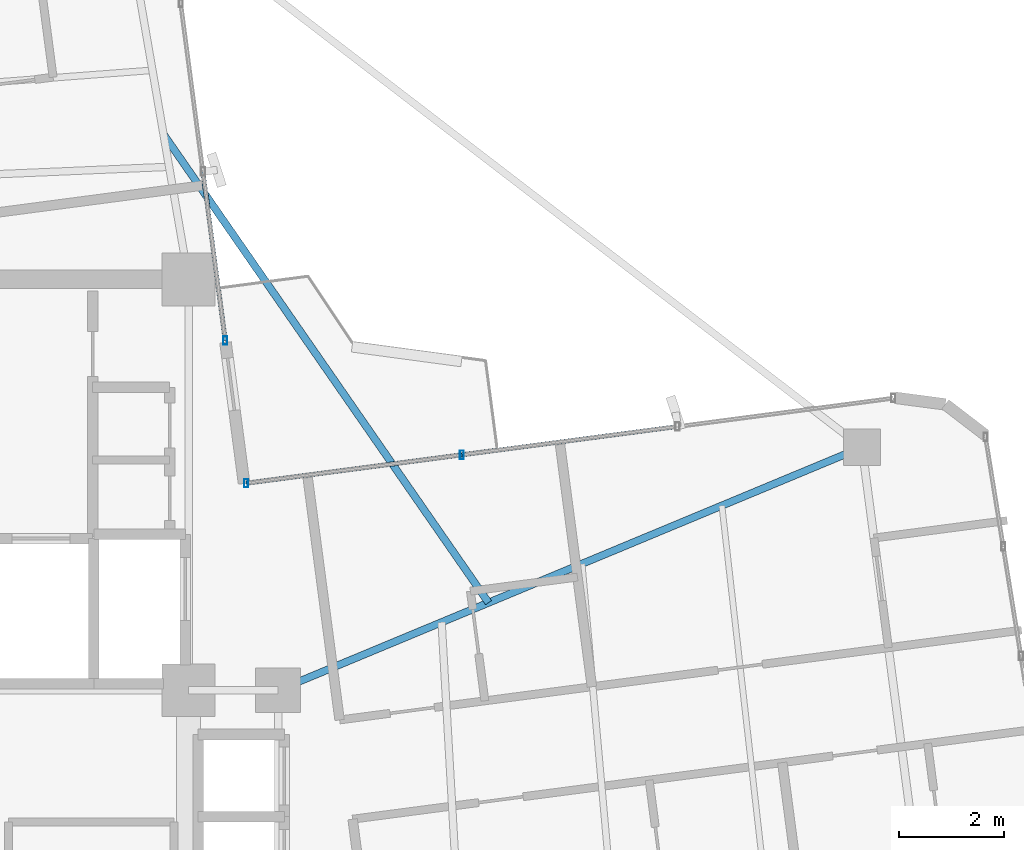
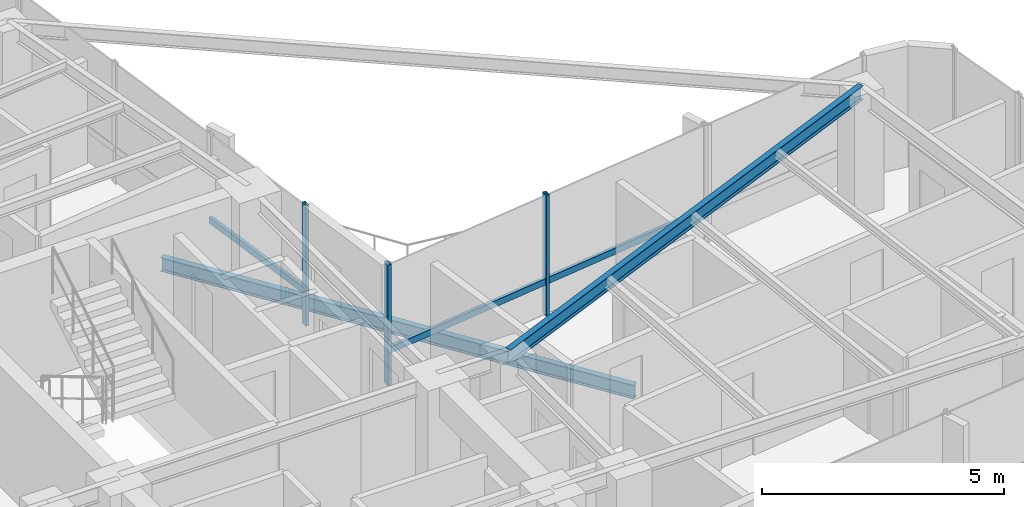
# One storey, part 11 of 23: 6 members, 2 beams, 2 elements without a shape of their own.
"""IFC4 building model written with IfcOpenShell, lengths in metres."""

from ifc_helpers import new_model, si_unit, direction, frame, origin, origin_2d, place, context, subcontext, project, spatial, hollow_rectangle, i_section, extrude, source, transform, mapped, material, material_profile, profile_set, type_object, element, aggregate, save


model = new_model("IFC4")

# Units and contexts
model_context = context("Model", 3, precision=1e-05, world=origin(), true_north=direction((0.0, 1.0)))
body_context = subcontext(model_context, "Body", "Model", "MODEL_VIEW")
ifc_project = project(units=[si_unit("LENGTHUNIT", "METRE"), si_unit("AREAUNIT", "SQUARE_METRE"), si_unit("VOLUMEUNIT", "CUBIC_METRE"), si_unit("PLANEANGLEUNIT", "RADIAN"), si_unit("MASSUNIT", "GRAM", prefix="KILO")], contexts=[model_context])

# Site, building, storey
site_placement = place(None, origin())
site = spatial("IfcSite", under=ifc_project, at=site_placement, CompositionType="ELEMENT")
building_placement = place(site_placement, origin())
building = spatial("IfcBuilding", under=site, at=building_placement, Name="Sahyath Konkavel Grand Hotel", CompositionType="ELEMENT")
storey_placement = place(building_placement, frame((0.0, 0.0, 226.60009765625)))
storey = spatial("IfcBuildingStorey", under=building, at=storey_placement, Name="L63", CompositionType="ELEMENT", Elevation=226.60009765625)

# Beam
ifc_material_1 = material(Name="Steel E350", Category="steel")
ifc_material_profile_1 = material_profile(ifc_material_1, i_section(OverallWidth=0.139892578125, OverallDepth=0.35009765625, WebThickness=0.008056640625, FlangeThickness=0.01416015625, FilletRadius=0.013916015625, at=origin_2d()), Name="ISMB 350")
ifc_profile_set_1 = profile_set([ifc_material_profile_1], Name="Steel E350")
beam_type_1 = type_object("IfcBeamType", Name="BM-ISMB350", PredefinedType="BEAM", material=ifc_profile_set_1)
shared_shape_1 = source(origin(), body_context, "Body", "SweptSolid", [
    extrude(i_section(OverallWidth=0.139892578125, OverallDepth=0.35009765625, WebThickness=0.008056640625, FlangeThickness=0.01416015625, FilletRadius=0.013916015625, at=origin_2d()), origin(), (0.0, 0.0, 1.0), 12.0078125),
])
beam_1_placement = place(storey_placement, frame((5.5, 2.39990234375, 2.875), z_axis=(0.923263288918, 0.384167801015, 0.0), x_axis=(-0.384167801015, 0.923263288918, 0.0)))
element("IfcBeam", 1, at=beam_1_placement, inside=storey, type_object=beam_type_1, Name="L63 Cruciform Radial Girder EB", PredefinedType="BEAM", context=body_context, shape_type="MappedRepresentation", body=[
    mapped(shared_shape_1, transform((0.0, 0.0, 0.0), scale=1.0)),
])

# Curtain wall, members
ifc_material_2 = material(Name="Anodised Bronze Aluminium & Low-E Glazing", Category="aluminium")
curtain_wall_type = type_object("IfcCurtainWallType", Name="CW-ZONE4", PredefinedType="NOTDEFINED", material=ifc_material_2)
curtain_wall_1_placement = place(storey_placement, origin())
curtain_wall_1 = element("IfcCurtainWall", 2, at=curtain_wall_1_placement, inside=storey, type_object=curtain_wall_type, Name="L63 Unitised Curtain Wall F7", PredefinedType="NOTDEFINED")
ifc_material_3 = material(Name="Anodised Bronze Aluminium", Category="aluminium")
ifc_material_profile_2 = material_profile(ifc_material_3, hollow_rectangle(XDim=0.080078125, YDim=0.159912109375, WallThickness=0.006103515625, at=origin_2d()), Name="RHS 160x80x6")
ifc_profile_set_2 = profile_set([ifc_material_profile_2], Name="Anodised Bronze Aluminium")
member_type_1 = type_object("IfcMemberType", Name="CW-MUL-160", PredefinedType="MULLION", material=ifc_profile_set_2)
shared_shape_2 = source(origin(), body_context, "Body", "SweptSolid", [
    extrude(hollow_rectangle(XDim=0.080078125, YDim=0.159912109375, WallThickness=0.006103515625, at=origin_2d()), origin(), (0.0, 0.0, 1.0), 3.0498046875),
])
member_1_placement = place(storey_placement, frame((8.989013671875, 6.8701171875, 0.0), z_axis=(0.0, 0.0, 1.0), x_axis=(1.0, 0.0, 0.0)))
member_1 = element("IfcMember", 3, at=member_1_placement, type_object=member_type_1, Name="L63 Curtain Wall Mullion F7-2", PredefinedType="MULLION", context=body_context, shape_type="MappedRepresentation", body=[
    mapped(shared_shape_2, transform((0.0, 0.0, 0.0), scale=1.0)),
])
member_2_placement = place(storey_placement, frame((4.8935546875, 6.330810546875, 0.0), z_axis=(0.0, 0.0, 1.0), x_axis=(1.0, 0.0, 0.0)))
member_2 = element("IfcMember", 4, at=member_2_placement, type_object=member_type_1, Name="L63 Curtain Wall Mullion F7-3", PredefinedType="MULLION", context=body_context, shape_type="MappedRepresentation", body=[
    mapped(shared_shape_2, transform((0.0, 0.0, 0.0), scale=1.0)),
])

curtain_wall_2_placement = place(storey_placement, origin())
curtain_wall_2 = element("IfcCurtainWall", 5, at=curtain_wall_2_placement, inside=storey, type_object=curtain_wall_type, Name="L63 Unitised Curtain Wall F8", PredefinedType="NOTDEFINED")
member_3_placement = place(storey_placement, frame((4.496337890625, 9.042236328125, 0.0), z_axis=(0.0, 0.0, 1.0), x_axis=(1.0, 0.0, 0.0)))
member_3 = element("IfcMember", 6, at=member_3_placement, type_object=member_type_1, Name="L63 Curtain Wall Mullion F8-0", PredefinedType="MULLION", context=body_context, shape_type="MappedRepresentation", body=[
    mapped(shared_shape_2, transform((0.0, 0.0, 0.0), scale=1.0)),
])
ifc_material_profile_3 = material_profile(ifc_material_3, hollow_rectangle(XDim=0.080078125, YDim=0.159912109375, WallThickness=0.006103515625, at=origin_2d()), Name="RHS 160x80x6")
ifc_profile_set_3 = profile_set([ifc_material_profile_3], Name="Anodised Bronze Aluminium")
member_type_2 = type_object("IfcMemberType", Name="CW-TRN-160", PredefinedType="USERDEFINED", material=ifc_profile_set_3)
shared_shape_3 = source(origin(), body_context, "Body", "SweptSolid", [
    extrude(hollow_rectangle(XDim=0.080078125, YDim=0.159912109375, WallThickness=0.006103515625, at=origin_2d()), origin(), (0.0, 0.0, 1.0), 3.230712890625),
])
member_4_placement = place(storey_placement, frame((4.496337890625, 9.042236328125, 0.849853515625), z_axis=(-0.130505336662, 0.991447606837, 0.0), x_axis=(-0.991447606837, -0.130505336662, 0.0)))
member_4 = element("IfcMember", 7, at=member_4_placement, type_object=member_type_2, Name="L63 Curtain Wall Transom F8-0-spandrel", ObjectType="TRANSOM", PredefinedType="USERDEFINED", context=body_context, shape_type="MappedRepresentation", body=[
    mapped(shared_shape_3, transform((0.0, 0.0, 0.0), scale=1.0)),
])
aggregate(curtain_wall_2, [member_3, member_4])

# Member
shared_shape_4 = source(origin(), body_context, "Body", "SweptSolid", [
    extrude(hollow_rectangle(XDim=0.080078125, YDim=0.159912109375, WallThickness=0.006103515625, at=origin_2d()), origin(), (0.0, 0.0, 1.0), 4.130615234375),
])
member_5_placement = place(storey_placement, frame((13.084228515625, 7.4091796875, 0.849853515625), z_axis=(-0.991447454115, -0.130506496881, 0.0), x_axis=(0.130506496881, -0.991447454115, 0.0)))
member_5 = element("IfcMember", 8, at=member_5_placement, type_object=member_type_2, Name="L63 Curtain Wall Transom F7-1-spandrel", ObjectType="TRANSOM", PredefinedType="USERDEFINED", context=body_context, shape_type="MappedRepresentation", body=[
    mapped(shared_shape_4, transform((0.0, 0.0, 0.0), scale=1.0)),
])

shared_shape_5 = source(origin(), body_context, "Body", "SweptSolid", [
    extrude(hollow_rectangle(XDim=0.080078125, YDim=0.159912109375, WallThickness=0.006103515625, at=origin_2d()), origin(), (0.0, 0.0, 1.0), 4.130859375),
])
member_6_placement = place(storey_placement, frame((8.989013671875, 6.8701171875, 0.849853515625), z_axis=(-0.991440812194, -0.130556945105, 0.0), x_axis=(0.130556945105, -0.991440812194, 0.0)))
member_6 = element("IfcMember", 9, at=member_6_placement, type_object=member_type_2, Name="L63 Curtain Wall Transom F7-2-spandrel", ObjectType="TRANSOM", PredefinedType="USERDEFINED", context=body_context, shape_type="MappedRepresentation", body=[
    mapped(shared_shape_5, transform((0.0, 0.0, 0.0), scale=1.0)),
])

aggregate(curtain_wall_1, [member_1, member_2, member_5, member_6])

# Beam
ifc_material_profile_4 = material_profile(ifc_material_1, i_section(OverallWidth=0.139892578125, OverallDepth=0.35009765625, WebThickness=0.008056640625, FlangeThickness=0.01416015625, FilletRadius=0.013916015625, at=origin_2d()), Name="ISMB 350")
ifc_profile_set_4 = profile_set([ifc_material_profile_4], Name="Steel E350")
beam_type_2 = type_object("IfcBeamType", Name="BM-BALC-CANT", PredefinedType="BEAM", material=ifc_profile_set_4)
shared_shape_6 = source(origin(), body_context, "Body", "SweptSolid", [
    extrude(i_section(OverallWidth=0.139892578125, OverallDepth=0.35009765625, WebThickness=0.008056640625, FlangeThickness=0.01416015625, FilletRadius=0.013916015625, at=origin_2d()), origin(), (0.0, 0.0, 1.0), 10.822265625),
])
beam_2_placement = place(storey_placement, frame((9.49560546875, 4.062744140625, -0.4150390625), z_axis=(-0.570091803466, 0.821580997602, 0.0), x_axis=(-0.821580997602, -0.570091803466, 0.0)))
element("IfcBeam", 10, at=beam_2_placement, inside=storey, type_object=beam_type_2, Name="L63 Balcony Cantilever Support Beam NE", PredefinedType="BEAM", context=body_context, shape_type="MappedRepresentation", body=[
    mapped(shared_shape_6, transform((0.0, 0.0, 0.0), scale=1.0)),
])

save(model, "model.ifc")
